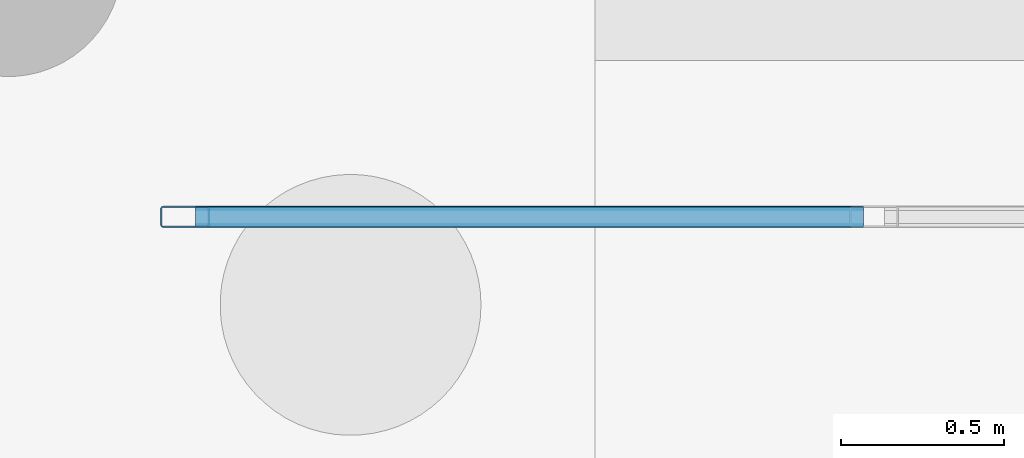
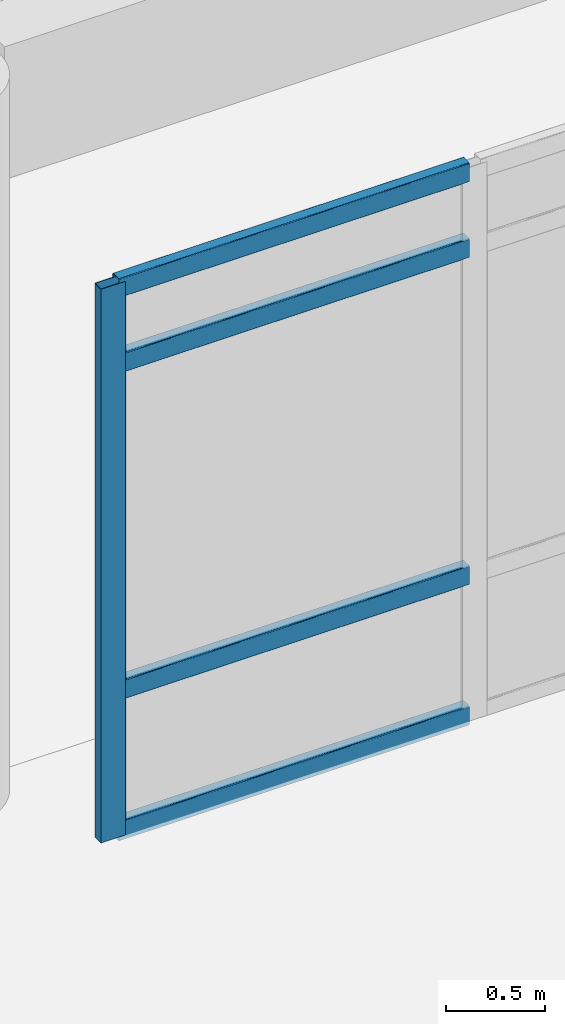
# One storey, part 122 of 196: 5 members, 1 element without a shape of its own.
"""IFC4 building model written with IfcOpenShell, lengths in metres."""

from ifc_helpers import new_model, si_unit, direction, frame, origin, origin_2d, place, context, subcontext, project, spatial, hollow_rectangle, extrude, material, layer, layer_set, material_profile, profile_set, type_object, element, aggregate, save


model = new_model("IFC4")

# Units and contexts
model_context = context("Model", 3, precision=1e-05, world=origin(), true_north=direction((0.0, 1.0)))
body_context = subcontext(model_context, "Body", "Model", "MODEL_VIEW")
ifc_project = project(units=[si_unit("LENGTHUNIT", "METRE"), si_unit("AREAUNIT", "SQUARE_METRE"), si_unit("VOLUMEUNIT", "CUBIC_METRE"), si_unit("PLANEANGLEUNIT", "RADIAN"), si_unit("MASSUNIT", "GRAM", prefix="KILO")], contexts=[model_context])

# Site, building, storey
site_placement = place(None, origin())
site = spatial("IfcSite", under=ifc_project, at=site_placement, CompositionType="ELEMENT")
building_placement = place(site_placement, origin())
building = spatial("IfcBuilding", under=site, at=building_placement, Name="Asteropetra Specialist Clinic", CompositionType="ELEMENT")
storey_placement = place(building_placement, origin())
storey = spatial("IfcBuildingStorey", under=building, at=storey_placement, Name="L00", CompositionType="ELEMENT", Elevation=0.0)

# Curtain wall, members
ifc_material_1 = material(Name="Aluminium and low-E glass", Category="aluminium")
ifc_layer = layer(ifc_material_1, 0.135009765625)
ifc_layer_set = layer_set([ifc_layer], Name="Aluminium and low-E glass")
curtain_wall_type = type_object("IfcCurtainWallType", Name="CW-SYS-09", PredefinedType="USERDEFINED", material=ifc_layer_set)
curtain_wall_placement = place(storey_placement, origin())
curtain_wall = element("IfcCurtainWall", 1, at=curtain_wall_placement, inside=storey, type_object=curtain_wall_type, Name="Curtain Wall CW-211", ObjectType="STICK GLAZED COLONNADE", PredefinedType="USERDEFINED")
ifc_material_2 = material(Name="Aluminium 6063-T6", Category="aluminium")
ifc_material_profile_1 = material_profile(ifc_material_2, hollow_rectangle(XDim=0.06494140625, YDim=0.14990234375, WallThickness=0.00390625, InnerFilletRadius=0.00390625, OuterFilletRadius=0.008056640625, at=origin_2d()), Name="MUL 150x65x4.0")
ifc_profile_set_1 = profile_set([ifc_material_profile_1], Name="Aluminium 6063-T6")
member_type_1 = type_object("IfcMemberType", Name="CWM-150x65", PredefinedType="MULLION", material=ifc_profile_set_1)
member_1_placement = place(storey_placement, frame((125.342529296875, 104.820068359375, 0.0), z_axis=(0.0, 0.0, 1.0), x_axis=(0.0, -1.0, 0.0)))
member_1 = element("IfcMember", 2, at=member_1_placement, type_object=member_type_1, Name="CW-211 mullion 5", PredefinedType="MULLION", context=body_context, shape_type="SweptSolid", body=[
    extrude(hollow_rectangle(XDim=0.06494140625, YDim=0.14990234375, WallThickness=0.00390625, InnerFilletRadius=0.00390625, OuterFilletRadius=0.008056640625, at=origin_2d()), origin(), (0.0, 0.0, 1.0), 3.419921875),
])
ifc_material_3 = material(Name="Aluminium 6063-T6", Category="aluminium")
ifc_material_profile_2 = material_profile(ifc_material_3, hollow_rectangle(XDim=0.06494140625, YDim=0.1201171875, WallThickness=0.00390625, InnerFilletRadius=0.00390625, OuterFilletRadius=0.008056640625, at=origin_2d()), Name="TRN 120x65x4.0")
ifc_profile_set_2 = profile_set([ifc_material_profile_2], Name="Aluminium 6063-T6")
member_type_2 = type_object("IfcMemberType", Name="CWT-120x65", PredefinedType="USERDEFINED", material=ifc_profile_set_2)
member_2_placement = place(storey_placement, frame((127.422607421875, 104.820068359375, 0.032470703125), z_axis=(-1.0, 0.0, 0.0), x_axis=(0.0, -1.0, 0.0)))
member_2 = element("IfcMember", 3, at=member_2_placement, type_object=member_type_2, Name="CW-211 transom 4.1", ObjectType="TRANSOM", PredefinedType="USERDEFINED", context=body_context, shape_type="SweptSolid", body=[
    extrude(hollow_rectangle(XDim=0.06494140625, YDim=0.1201171875, WallThickness=0.00390625, InnerFilletRadius=0.00390625, OuterFilletRadius=0.008056640625, at=origin_2d()), origin(), (0.0, 0.0, 1.0), 2.047607421875),
])
member_3_placement = place(storey_placement, frame((127.422607421875, 104.820068359375, 0.89990234375), z_axis=(-1.0, 0.0, 0.0), x_axis=(0.0, -1.0, 0.0)))
member_3 = element("IfcMember", 4, at=member_3_placement, type_object=member_type_2, Name="CW-211 transom 4.2", ObjectType="TRANSOM", PredefinedType="USERDEFINED", context=body_context, shape_type="SweptSolid", body=[
    extrude(hollow_rectangle(XDim=0.06494140625, YDim=0.1201171875, WallThickness=0.00390625, InnerFilletRadius=0.00390625, OuterFilletRadius=0.008056640625, at=origin_2d()), origin(), (0.0, 0.0, 1.0), 2.047607421875),
])
member_4_placement = place(storey_placement, frame((127.422607421875, 104.820068359375, 2.919921875), z_axis=(-1.0, 0.0, 0.0), x_axis=(0.0, -1.0, 0.0)))
member_4 = element("IfcMember", 5, at=member_4_placement, type_object=member_type_2, Name="CW-211 transom 4.3", ObjectType="TRANSOM", PredefinedType="USERDEFINED", context=body_context, shape_type="SweptSolid", body=[
    extrude(hollow_rectangle(XDim=0.06494140625, YDim=0.1201171875, WallThickness=0.00390625, InnerFilletRadius=0.00390625, OuterFilletRadius=0.008056640625, at=origin_2d()), origin(), (0.0, 0.0, 1.0), 2.047607421875),
])
member_5_placement = place(storey_placement, frame((127.422607421875, 104.820068359375, 3.387451171875), z_axis=(-1.0, 0.0, 0.0), x_axis=(0.0, -1.0, 0.0)))
member_5 = element("IfcMember", 6, at=member_5_placement, type_object=member_type_2, Name="CW-211 transom 4.4", ObjectType="TRANSOM", PredefinedType="USERDEFINED", context=body_context, shape_type="SweptSolid", body=[
    extrude(hollow_rectangle(XDim=0.06494140625, YDim=0.1201171875, WallThickness=0.00390625, InnerFilletRadius=0.00390625, OuterFilletRadius=0.008056640625, at=origin_2d()), origin(), (0.0, 0.0, 1.0), 2.047607421875),
])
aggregate(curtain_wall, [member_1, member_2, member_3, member_4, member_5])

save(model, "model.ifc")
